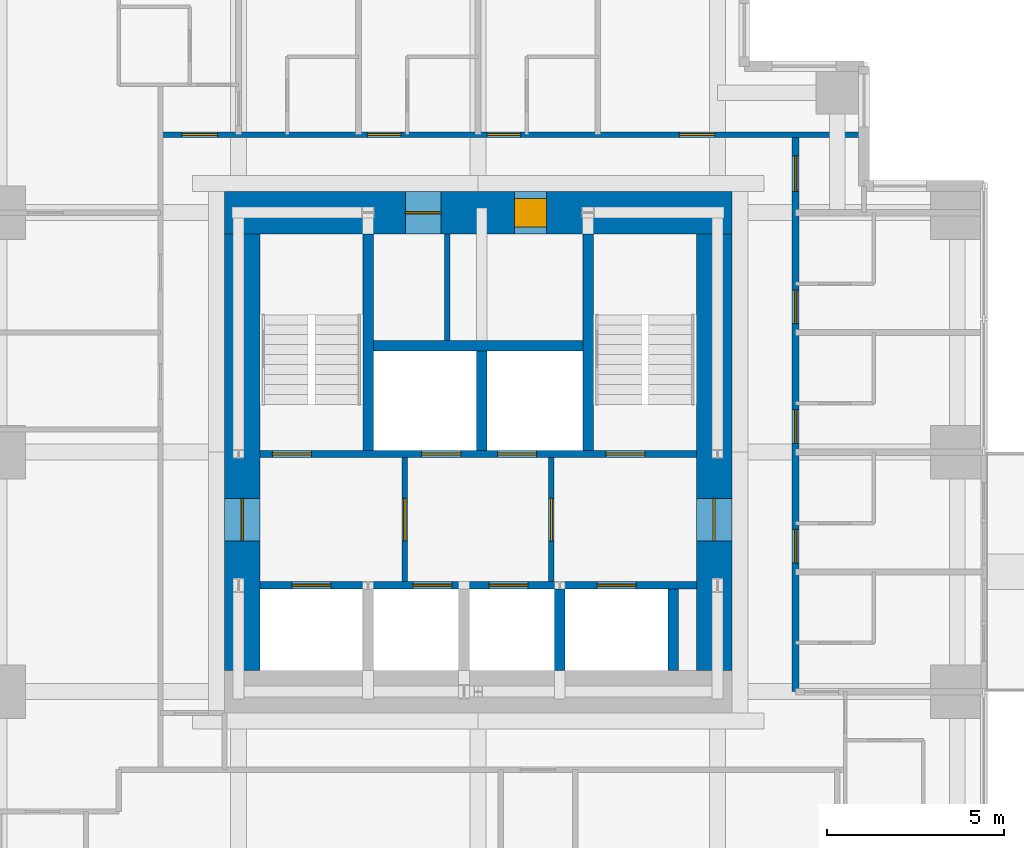
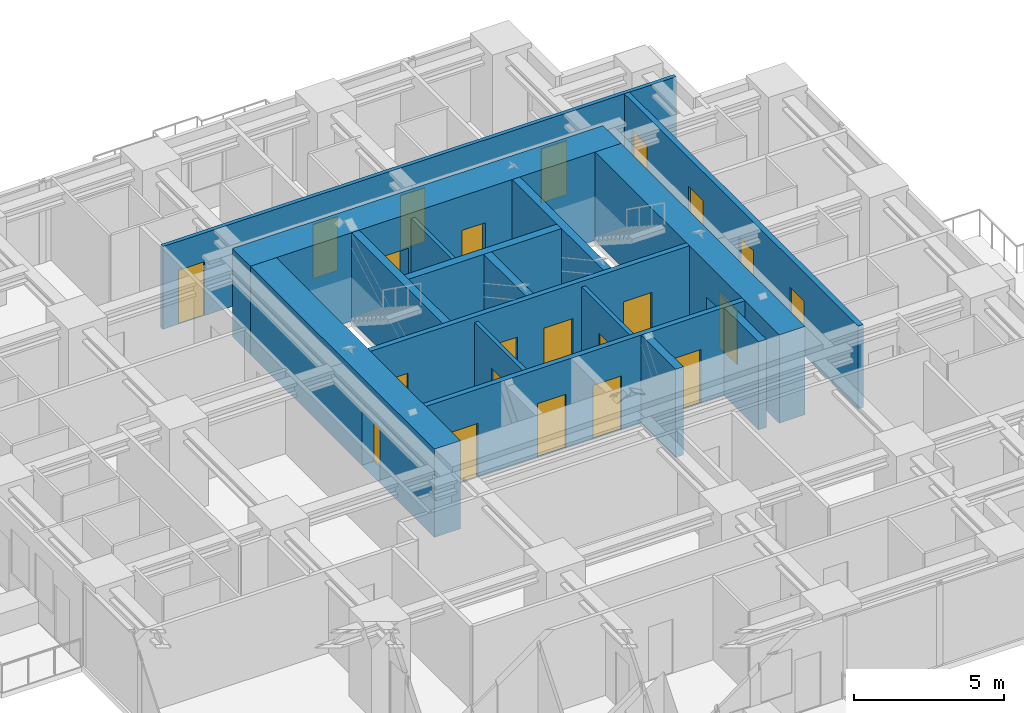
# One storey, part 7 of 10: 22 doors, 16 walls, 22 openings.
"""IFC4 building model written with IfcOpenShell, lengths in metres."""

from ifc_helpers import new_model, si_unit, direction, frame, frame_2d, origin, place, context, subcontext, project, spatial, rectangle, extrude, material, layer, layer_set, type_object, element, fill, save


model = new_model("IFC4")

# Units and contexts
model_context = context("Model", 3, precision=1e-05, world=origin(), true_north=direction((0.0, 1.0)))
body_context = subcontext(model_context, "Body", "Model", "MODEL_VIEW")
ifc_project = project(units=[si_unit("LENGTHUNIT", "METRE"), si_unit("AREAUNIT", "SQUARE_METRE"), si_unit("VOLUMEUNIT", "CUBIC_METRE"), si_unit("PLANEANGLEUNIT", "RADIAN"), si_unit("MASSUNIT", "GRAM", prefix="KILO")], contexts=[model_context])

# Site, building, storey
site_placement = place(None, origin())
site = spatial("IfcSite", under=ifc_project, at=site_placement, CompositionType="ELEMENT")
building_placement = place(site_placement, origin())
building = spatial("IfcBuilding", under=site, at=building_placement, Name="Nyansa Garden Tower", CompositionType="ELEMENT")
storey_placement = place(building_placement, frame((0.0, 0.0, 156.60009765625)))
storey = spatial("IfcBuildingStorey", under=building, at=storey_placement, Name="L42", CompositionType="ELEMENT", Elevation=156.60009765625)

# Wall, openings, doors
ifc_material_1 = material(Name="Concrete C70/85", Category="concrete")
ifc_layer_1 = layer(ifc_material_1, 0.199951171875)
ifc_layer_set_1 = layer_set([ifc_layer_1], Name="Core inner wall CI200")
wall_type_1 = type_object("IfcWallType", Name="Core inner wall CI200", PredefinedType="SHEAR", material=ifc_layer_set_1)
wall_1_placement = place(storey_placement, frame((14.10009765625, 16.5, 0.0), z_axis=(0.0, 0.0, 1.0), x_axis=(1.0, 0.0, 0.0)))
wall_1 = element("IfcWall", 1, at=wall_1_placement, inside=storey, type_object=wall_type_1, Name="Core inner wall L42", PredefinedType="SHEAR", context=body_context, shape_type="SweptSolid", body=[
    extrude(rectangle(XDim=12.2998046875, YDim=0.199951171875, at=frame_2d((6.14990234375, 0.0))), origin(), (0.0, 0.0, 1.0), 3.599853515625),
])
opening_1_placement = place(wall_1_placement, frame((0.89990234375, 0.0, 0.0)))
opening_1 = element("IfcOpeningElement", 2, at=opening_1_placement, cuts=wall_1, Name="Opening LD-F", PredefinedType="OPENING", context=body_context, shape_type="SweptSolid", body=[
    extrude(rectangle(XDim=1.10009765625, YDim=2.199951171875, at=frame_2d((0.550048828125, 1.10009765625))), frame((0.0, 0.10986328125, 0.0), z_axis=(0.0, -1.0, 0.0), x_axis=(1.0, 0.0, 0.0)), (0.0, 0.0, 1.0), 0.219970703125),
])
opening_2_placement = place(wall_1_placement, frame((4.31005859375, 0.0, 0.0)))
opening_2 = element("IfcOpeningElement", 3, at=opening_2_placement, cuts=wall_1, Name="Opening LD-B", PredefinedType="OPENING", context=body_context, shape_type="SweptSolid", body=[
    extrude(rectangle(XDim=1.10009765625, YDim=2.199951171875, at=frame_2d((0.550048828125, 1.10009765625))), frame((0.0, 0.10986328125, 0.0), z_axis=(0.0, -1.0, 0.0), x_axis=(1.0, 0.0, 0.0)), (0.0, 0.0, 1.0), 0.219970703125),
])
opening_3_placement = place(wall_1_placement, frame((6.449951171875, 0.0, 0.0)))
opening_3 = element("IfcOpeningElement", 4, at=opening_3_placement, cuts=wall_1, Name="Opening LD-B", PredefinedType="OPENING", context=body_context, shape_type="SweptSolid", body=[
    extrude(rectangle(XDim=1.10009765625, YDim=2.199951171875, at=frame_2d((0.550048828125, 1.10009765625))), frame((0.0, 0.10986328125, 0.0), z_axis=(0.0, -1.0, 0.0), x_axis=(1.0, 0.0, 0.0)), (0.0, 0.0, 1.0), 0.219970703125),
])
opening_4_placement = place(wall_1_placement, frame((9.5, 0.0, 0.0)))
opening_4 = element("IfcOpeningElement", 5, at=opening_4_placement, cuts=wall_1, Name="Opening LD-F", PredefinedType="OPENING", context=body_context, shape_type="SweptSolid", body=[
    extrude(rectangle(XDim=1.10009765625, YDim=2.199951171875, at=frame_2d((0.550048828125, 1.10009765625))), frame((0.0, 0.10986328125, 0.0), z_axis=(0.0, -1.0, 0.0), x_axis=(1.0, 0.0, 0.0)), (0.0, 0.0, 1.0), 0.219970703125),
])
ifc_material_2 = material(Name="Stainless steel centre-opening landing door of the high-rise lift, E 120", Category="steel")
door_type_1 = type_object("IfcDoorType", Name="Lift landing door LD-B 1100x2200", OperationType="DOUBLE_DOOR_SLIDING", PredefinedType="DOOR", material=ifc_material_2)
door_1_placement = place(opening_2_placement, origin())
door_1 = element("IfcDoor", 6, at=door_1_placement, inside=storey, type_object=door_type_1, Name="Landing door B1", OperationType="DOUBLE_DOOR_SLIDING", OverallHeight=2.199951171875, OverallWidth=1.10009765625, PredefinedType="DOOR", context=body_context, shape_type="SweptSolid", body=[
    extrude(rectangle(XDim=1.10009765625, YDim=2.199951171875, at=frame_2d((0.550048828125, 1.10009765625))), frame((0.0, 0.02490234375, 0.0), z_axis=(0.0, -1.0, 0.0), x_axis=(1.0, 0.0, 0.0)), (0.0, 0.0, 1.0), 0.050048828125),
])
fill(opening_2, door_1)
door_2_placement = place(opening_3_placement, origin())
door_2 = element("IfcDoor", 7, at=door_2_placement, inside=storey, type_object=door_type_1, Name="Landing door B2", OperationType="DOUBLE_DOOR_SLIDING", OverallHeight=2.199951171875, OverallWidth=1.10009765625, PredefinedType="DOOR", context=body_context, shape_type="SweptSolid", body=[
    extrude(rectangle(XDim=1.10009765625, YDim=2.199951171875, at=frame_2d((0.550048828125, 1.10009765625))), frame((0.0, 0.02490234375, 0.0), z_axis=(0.0, -1.0, 0.0), x_axis=(1.0, 0.0, 0.0)), (0.0, 0.0, 1.0), 0.050048828125),
])
fill(opening_3, door_2)
ifc_material_3 = material(Name="Stainless steel centre-opening landing door of the firefighting lift, EN 81-72, E 120", Category="steel")
door_type_2 = type_object("IfcDoorType", Name="Lift landing door LD-F 1100x2200", OperationType="DOUBLE_DOOR_SLIDING", PredefinedType="DOOR", material=ifc_material_3)
door_3_placement = place(opening_1_placement, origin())
door_3 = element("IfcDoor", 8, at=door_3_placement, inside=storey, type_object=door_type_2, Name="Landing door FF1", OperationType="DOUBLE_DOOR_SLIDING", OverallHeight=2.199951171875, OverallWidth=1.10009765625, PredefinedType="DOOR", context=body_context, shape_type="SweptSolid", body=[
    extrude(rectangle(XDim=1.10009765625, YDim=2.199951171875, at=frame_2d((0.550048828125, 1.10009765625))), frame((0.0, 0.02490234375, 0.0), z_axis=(0.0, -1.0, 0.0), x_axis=(1.0, 0.0, 0.0)), (0.0, 0.0, 1.0), 0.050048828125),
])
fill(opening_1, door_3)
door_4_placement = place(opening_4_placement, origin())
door_4 = element("IfcDoor", 9, at=door_4_placement, inside=storey, type_object=door_type_2, Name="Landing door FF2", OperationType="DOUBLE_DOOR_SLIDING", OverallHeight=2.199951171875, OverallWidth=1.10009765625, PredefinedType="DOOR", context=body_context, shape_type="SweptSolid", body=[
    extrude(rectangle(XDim=1.10009765625, YDim=2.199951171875, at=frame_2d((0.550048828125, 1.10009765625))), frame((0.0, 0.02490234375, 0.0), z_axis=(0.0, -1.0, 0.0), x_axis=(1.0, 0.0, 0.0)), (0.0, 0.0, 1.0), 0.050048828125),
])
fill(opening_4, door_4)

wall_2_placement = place(storey_placement, frame((14.10009765625, 20.199951171875, 0.0), z_axis=(0.0, 0.0, 1.0), x_axis=(1.0, 0.0, 0.0)))
wall_2 = element("IfcWall", 10, at=wall_2_placement, inside=storey, type_object=wall_type_1, Name="Core inner wall L42", PredefinedType="SHEAR", context=body_context, shape_type="SweptSolid", body=[
    extrude(rectangle(XDim=12.2998046875, YDim=0.199951171875, at=frame_2d((6.14990234375, 0.0))), origin(), (0.0, 0.0, 1.0), 3.599853515625),
])
opening_5_placement = place(wall_2_placement, frame((4.56005859375, 0.0, 0.0)))
opening_5 = element("IfcOpeningElement", 11, at=opening_5_placement, cuts=wall_2, Name="Opening LD-B", PredefinedType="OPENING", context=body_context, shape_type="SweptSolid", body=[
    extrude(rectangle(XDim=1.10009765625, YDim=2.199951171875, at=frame_2d((0.550048828125, 1.10009765625))), frame((0.0, 0.10986328125, 0.0), z_axis=(0.0, -1.0, 0.0), x_axis=(1.0, 0.0, 0.0)), (0.0, 0.0, 1.0), 0.219970703125),
])
opening_6_placement = place(wall_2_placement, frame((6.699951171875, 0.0, 0.0)))
opening_6 = element("IfcOpeningElement", 12, at=opening_6_placement, cuts=wall_2, Name="Opening LD-B", PredefinedType="OPENING", context=body_context, shape_type="SweptSolid", body=[
    extrude(rectangle(XDim=1.10009765625, YDim=2.199951171875, at=frame_2d((0.550048828125, 1.10009765625))), frame((0.0, 0.10986328125, 0.0), z_axis=(0.0, -1.0, 0.0), x_axis=(1.0, 0.0, 0.0)), (0.0, 0.0, 1.0), 0.219970703125),
])
opening_7_placement = place(wall_2_placement, frame((0.35009765625, 0.0, 0.0)))
opening_7 = element("IfcOpeningElement", 13, at=opening_7_placement, cuts=wall_2, Name="Opening D05", PredefinedType="OPENING", context=body_context, shape_type="SweptSolid", body=[
    extrude(rectangle(XDim=1.10009765625, YDim=2.199951171875, at=frame_2d((0.550048828125, 1.10009765625))), frame((0.0, 0.10986328125, 0.0), z_axis=(0.0, -1.0, 0.0), x_axis=(1.0, 0.0, 0.0)), (0.0, 0.0, 1.0), 0.219970703125),
])
opening_8_placement = place(wall_2_placement, frame((9.75, 0.0, 0.0)))
opening_8 = element("IfcOpeningElement", 14, at=opening_8_placement, cuts=wall_2, Name="Opening D05", PredefinedType="OPENING", context=body_context, shape_type="SweptSolid", body=[
    extrude(rectangle(XDim=1.10009765625, YDim=2.199951171875, at=frame_2d((0.550048828125, 1.10009765625))), frame((0.0, 0.10986328125, 0.0), z_axis=(0.0, -1.0, 0.0), x_axis=(1.0, 0.0, 0.0)), (0.0, 0.0, 1.0), 0.219970703125),
])
door_5_placement = place(opening_5_placement, origin())
door_5 = element("IfcDoor", 15, at=door_5_placement, inside=storey, type_object=door_type_1, Name="Landing door B3", OperationType="DOUBLE_DOOR_SLIDING", OverallHeight=2.199951171875, OverallWidth=1.10009765625, PredefinedType="DOOR", context=body_context, shape_type="SweptSolid", body=[
    extrude(rectangle(XDim=1.10009765625, YDim=2.199951171875, at=frame_2d((0.550048828125, 1.10009765625))), frame((0.0, 0.02490234375, 0.0), z_axis=(0.0, -1.0, 0.0), x_axis=(1.0, 0.0, 0.0)), (0.0, 0.0, 1.0), 0.050048828125),
])
fill(opening_5, door_5)
door_6_placement = place(opening_6_placement, origin())
door_6 = element("IfcDoor", 16, at=door_6_placement, inside=storey, type_object=door_type_1, Name="Landing door B4", OperationType="DOUBLE_DOOR_SLIDING", OverallHeight=2.199951171875, OverallWidth=1.10009765625, PredefinedType="DOOR", context=body_context, shape_type="SweptSolid", body=[
    extrude(rectangle(XDim=1.10009765625, YDim=2.199951171875, at=frame_2d((0.550048828125, 1.10009765625))), frame((0.0, 0.02490234375, 0.0), z_axis=(0.0, -1.0, 0.0), x_axis=(1.0, 0.0, 0.0)), (0.0, 0.0, 1.0), 0.050048828125),
])
fill(opening_6, door_6)
ifc_material_4 = material(Name="Steel door, 120 minute fire resisting", Category="steel")
door_type_3 = type_object("IfcDoorType", Name="Stair door D05 1100x2200", OperationType="SINGLE_SWING_LEFT", PredefinedType="DOOR", material=ifc_material_4)
door_7_placement = place(opening_7_placement, origin())
door_7 = element("IfcDoor", 17, at=door_7_placement, inside=storey, type_object=door_type_3, Name="Stair S1 door", OperationType="SINGLE_SWING_LEFT", OverallHeight=2.199951171875, OverallWidth=1.10009765625, PredefinedType="DOOR", context=body_context, shape_type="SweptSolid", body=[
    extrude(rectangle(XDim=1.10009765625, YDim=2.199951171875, at=frame_2d((0.550048828125, 1.10009765625))), frame((0.0, 0.02490234375, 0.0), z_axis=(0.0, -1.0, 0.0), x_axis=(1.0, 0.0, 0.0)), (0.0, 0.0, 1.0), 0.050048828125),
])
fill(opening_7, door_7)
door_8_placement = place(opening_8_placement, origin())
door_8 = element("IfcDoor", 18, at=door_8_placement, inside=storey, type_object=door_type_3, Name="Stair S2 door", OperationType="SINGLE_SWING_LEFT", OverallHeight=2.199951171875, OverallWidth=1.10009765625, PredefinedType="DOOR", context=body_context, shape_type="SweptSolid", body=[
    extrude(rectangle(XDim=1.10009765625, YDim=2.199951171875, at=frame_2d((0.550048828125, 1.10009765625))), frame((0.0, 0.02490234375, 0.0), z_axis=(0.0, -1.0, 0.0), x_axis=(1.0, 0.0, 0.0)), (0.0, 0.0, 1.0), 0.050048828125),
])
fill(opening_8, door_8)

# Walls
ifc_material_5 = material(Name="Concrete C70/85", Category="concrete")
ifc_layer_2 = layer(ifc_material_5, 0.300048828125)
ifc_layer_set_2 = layer_set([ifc_layer_2], Name="Core inner wall CI300")
wall_type_2 = type_object("IfcWallType", Name="Core inner wall CI300", PredefinedType="SHEAR", material=ifc_layer_set_2)
for number, where, z_axis, x_axis, name in (
    (19, (17.14990234375, 20.300048828125, 0.0), (0.0, 0.0, 1.0), (0.0, 1.0, 0.0), "Core inner wall L42"),
    (20, (23.35009765625, 20.300048828125, 0.0), (0.0, 0.0, 1.0), (0.0, 1.0, 0.0), "Core inner wall L42"),
):
    element("IfcWall", number, at=place(storey_placement, frame(where, z_axis=z_axis, x_axis=x_axis)), inside=storey, type_object=wall_type_2, Name=name, PredefinedType="SHEAR", context=body_context, shape_type="SweptSolid", body=[
        extrude(rectangle(XDim=6.099853515625, YDim=0.300048828125, at=frame_2d((3.0498046875, 0.0))), origin(), (0.0, 0.0, 1.0), 3.599853515625),
    ])
wall_3_placement = place(storey_placement, frame((20.35009765625, 20.300048828125, 0.0), z_axis=(0.0, 0.0, 1.0), x_axis=(0.0, 1.0, 0.0)))
element("IfcWall", 21, at=wall_3_placement, inside=storey, type_object=wall_type_2, Name="Core inner wall L42", PredefinedType="SHEAR", context=body_context, shape_type="SweptSolid", body=[
    extrude(rectangle(XDim=2.800048828125, YDim=0.300048828125, at=frame_2d((1.39990234375, 0.0))), origin(), (0.0, 0.0, 1.0), 3.599853515625),
])
wall_4_placement = place(storey_placement, frame((17.300048828125, 23.25, 0.0), z_axis=(0.0, 0.0, 1.0), x_axis=(1.0, 0.0, 0.0)))
element("IfcWall", 22, at=wall_4_placement, inside=storey, type_object=wall_type_2, Name="Core inner wall L42", PredefinedType="SHEAR", context=body_context, shape_type="SweptSolid", body=[
    extrude(rectangle(XDim=5.89990234375, YDim=0.300048828125, at=frame_2d((2.949951171875, 0.0))), origin(), (0.0, 0.0, 1.0), 3.599853515625),
])
for number, where, z_axis, x_axis, name in (
    (23, (22.550048828125, 14.10009765625, 0.0), (0.0, 0.0, 1.0), (0.0, 1.0, 0.0), "Core inner wall L42"),
    (24, (25.75, 14.10009765625, 0.0), (0.0, 0.0, 1.0), (0.0, 1.0, 0.0), "Core inner wall L42"),
):
    element("IfcWall", number, at=place(storey_placement, frame(where, z_axis=z_axis, x_axis=x_axis)), inside=storey, type_object=wall_type_2, Name=name, PredefinedType="SHEAR", context=body_context, shape_type="SweptSolid", body=[
        extrude(rectangle(XDim=2.2998046875, YDim=0.300048828125, at=frame_2d((1.14990234375, 0.0))), origin(), (0.0, 0.0, 1.0), 3.599853515625),
    ])

# Wall, opening, door
ifc_material_6 = material(Name="Concrete C80/95", Category="concrete")
ifc_layer_3 = layer(ifc_material_6, 1.0)
ifc_layer_set_3 = layer_set([ifc_layer_3], Name="Core wall CW1000")
wall_type_3 = type_object("IfcWallType", Name="Core wall CW1000", PredefinedType="SHEAR", material=ifc_layer_set_3)
wall_5_placement = place(storey_placement, frame((26.89990234375, 14.10009765625, 0.0), z_axis=(0.0, 0.0, 1.0), x_axis=(0.0, 1.0, 0.0)))
wall_5 = element("IfcWall", 25, at=wall_5_placement, inside=storey, type_object=wall_type_3, Name="Core wall E L42", PredefinedType="SHEAR", context=body_context, shape_type="SweptSolid", body=[
    extrude(rectangle(XDim=12.2998046875, YDim=1.0, at=frame_2d((6.14990234375, 0.0))), origin(), (0.0, 0.0, 1.0), 3.599853515625),
])
opening_9_placement = place(wall_5_placement, frame((3.64990234375, 0.0, 0.0)))
opening_9 = element("IfcOpeningElement", 26, at=opening_9_placement, cuts=wall_5, Name="Opening D06", PredefinedType="OPENING", context=body_context, shape_type="SweptSolid", body=[
    extrude(rectangle(XDim=1.199951171875, YDim=2.199951171875, at=frame_2d((0.60009765625, 1.10009765625))), frame((0.0, 0.510009765625, 0.0), z_axis=(0.0, -1.0, 0.0), x_axis=(1.0, 0.0, 0.0)), (0.0, 0.0, 1.0), 1.02001953125),
])
ifc_material_7 = material(Name="Steel door, 120 minute fire resisting", Category="steel")
door_type_4 = type_object("IfcDoorType", Name="Lobby door D06 1200x2200", OperationType="DOUBLE_DOOR_SINGLE_SWING", PredefinedType="DOOR", material=ifc_material_7)
door_9_placement = place(opening_9_placement, origin())
door_9 = element("IfcDoor", 27, at=door_9_placement, inside=storey, type_object=door_type_4, Name="Lift lobby door east", OperationType="DOUBLE_DOOR_SINGLE_SWING", OverallHeight=2.199951171875, OverallWidth=1.199951171875, PredefinedType="DOOR", context=body_context, shape_type="SweptSolid", body=[
    extrude(rectangle(XDim=1.199951171875, YDim=2.199951171875, at=frame_2d((0.60009765625, 1.10009765625))), frame((0.0, 0.02490234375, 0.0), z_axis=(0.0, -1.0, 0.0), x_axis=(1.0, 0.0, 0.0)), (0.0, 0.0, 1.0), 0.050048828125),
])
fill(opening_9, door_9)

wall_6_placement = place(storey_placement, frame((13.60009765625, 26.39990234375, 0.0), z_axis=(0.0, 0.0, 1.0), x_axis=(0.0, -1.0, 0.0)))
wall_6 = element("IfcWall", 28, at=wall_6_placement, inside=storey, type_object=wall_type_3, Name="Core wall W L42", PredefinedType="SHEAR", context=body_context, shape_type="SweptSolid", body=[
    extrude(rectangle(XDim=12.2998046875, YDim=1.0, at=frame_2d((6.14990234375, 0.0))), origin(), (0.0, 0.0, 1.0), 3.599853515625),
])
opening_10_placement = place(wall_6_placement, frame((7.449951171875, 0.0, 0.0)))
opening_10 = element("IfcOpeningElement", 29, at=opening_10_placement, cuts=wall_6, Name="Opening D06", PredefinedType="OPENING", context=body_context, shape_type="SweptSolid", body=[
    extrude(rectangle(XDim=1.199951171875, YDim=2.199951171875, at=frame_2d((0.60009765625, 1.10009765625))), frame((0.0, 0.510009765625, 0.0), z_axis=(0.0, -1.0, 0.0), x_axis=(1.0, 0.0, 0.0)), (0.0, 0.0, 1.0), 1.02001953125),
])
door_10_placement = place(opening_10_placement, origin())
door_10 = element("IfcDoor", 30, at=door_10_placement, inside=storey, type_object=door_type_4, Name="Lift lobby door west", OperationType="DOUBLE_DOOR_SINGLE_SWING", OverallHeight=2.199951171875, OverallWidth=1.199951171875, PredefinedType="DOOR", context=body_context, shape_type="SweptSolid", body=[
    extrude(rectangle(XDim=1.199951171875, YDim=2.199951171875, at=frame_2d((0.60009765625, 1.10009765625))), frame((0.0, 0.02490234375, 0.0), z_axis=(0.0, -1.0, 0.0), x_axis=(1.0, 0.0, 0.0)), (0.0, 0.0, 1.0), 0.050048828125),
])
fill(opening_10, door_10)

# Wall, openings, doors
ifc_material_8 = material(Name="Concrete C80/95", Category="concrete")
ifc_layer_4 = layer(ifc_material_8, 1.199951171875)
ifc_layer_set_4 = layer_set([ifc_layer_4], Name="Core wall CW1200")
wall_type_4 = type_object("IfcWallType", Name="Core wall CW1200", PredefinedType="SHEAR", material=ifc_layer_set_4)
wall_7_placement = place(storey_placement, frame((27.39990234375, 27.0, 0.0), z_axis=(0.0, 0.0, 1.0), x_axis=(-1.0, 0.0, 0.0)))
wall_7 = element("IfcWall", 31, at=wall_7_placement, inside=storey, type_object=wall_type_4, Name="Core wall N L42", PredefinedType="SHEAR", context=body_context, shape_type="SweptSolid", body=[
    extrude(rectangle(XDim=14.2998046875, YDim=1.199951171875, at=frame_2d((7.14990234375, 0.0))), origin(), (0.0, 0.0, 1.0), 3.599853515625),
])
opening_11_placement = place(wall_7_placement, frame((5.22509765625, 0.0, 0.0)))
opening_11 = element("IfcOpeningElement", 32, at=opening_11_placement, cuts=wall_7, Name="Opening D15", PredefinedType="OPENING", context=body_context, shape_type="SweptSolid", body=[
    extrude(rectangle(XDim=0.89990234375, YDim=2.199951171875, at=frame_2d((0.449951171875, 1.10009765625))), frame((0.0, 0.60986328125, 0.0), z_axis=(0.0, -1.0, 0.0), x_axis=(1.0, 0.0, 0.0)), (0.0, 0.0, 1.0), 1.219970703125),
])
opening_12_placement = place(wall_7_placement, frame((8.199951171875, 0.0, 0.0)))
opening_12 = element("IfcOpeningElement", 33, at=opening_12_placement, cuts=wall_7, Name="Opening D07", PredefinedType="OPENING", context=body_context, shape_type="SweptSolid", body=[
    extrude(rectangle(XDim=1.0, YDim=2.199951171875, at=frame_2d((0.5, 1.10009765625))), frame((0.0, 0.60986328125, 0.0), z_axis=(0.0, -1.0, 0.0), x_axis=(1.0, 0.0, 0.0)), (0.0, 0.0, 1.0), 1.219970703125),
])
ifc_material_9 = material(Name="Timber flush door, 60 minute fire resisting, self-closing", Category="wood")
door_type_5 = type_object("IfcDoorType", Name="Core room door D15 900x2200", OperationType="SINGLE_SWING_LEFT", PredefinedType="DOOR", material=ifc_material_9)
door_11_placement = place(opening_11_placement, origin())
door_11 = element("IfcDoor", 34, at=door_11_placement, inside=storey, type_object=door_type_5, Name="Core room door", OperationType="SINGLE_SWING_LEFT", OverallHeight=2.199951171875, OverallWidth=0.89990234375, PredefinedType="DOOR", context=body_context, shape_type="SweptSolid", body=[
    extrude(rectangle(XDim=0.89990234375, YDim=2.199951171875, at=frame_2d((0.449951171875, 1.10009765625))), frame((0.0, 0.39990234375, 0.0), z_axis=(0.0, -1.0, 0.0), x_axis=(1.0, 0.0, 0.0)), (0.0, 0.0, 1.0), 0.800048828125),
])
fill(opening_11, door_11)
ifc_material_10 = material(Name="Steel door, 120 minute fire resisting", Category="steel")
door_type_6 = type_object("IfcDoorType", Name="Riser door D07 1000x2200", OperationType="SINGLE_SWING_LEFT", PredefinedType="DOOR", material=ifc_material_10)
door_12_placement = place(opening_12_placement, origin())
door_12 = element("IfcDoor", 35, at=door_12_placement, inside=storey, type_object=door_type_6, Name="Riser and refuse room door", OperationType="SINGLE_SWING_LEFT", OverallHeight=2.199951171875, OverallWidth=1.0, PredefinedType="DOOR", context=body_context, shape_type="SweptSolid", body=[
    extrude(rectangle(XDim=1.0, YDim=2.199951171875, at=frame_2d((0.5, 1.10009765625))), frame((0.0, 0.02490234375, 0.0), z_axis=(0.0, -1.0, 0.0), x_axis=(1.0, 0.0, 0.0)), (0.0, 0.0, 1.0), 0.050048828125),
])
fill(opening_12, door_12)

ifc_material_11 = material(Name="Concrete blockwork, plastered, 60 minute fire resisting", Category="masonry")
ifc_layer_5 = layer(ifc_material_11, 0.199951171875)
ifc_layer_set_5 = layer_set([ifc_layer_5], Name="Corridor wall FW200")
wall_type_5 = type_object("IfcWallType", Name="Corridor wall FW200", PredefinedType="PARTITIONING", material=ifc_layer_set_5)
wall_8_placement = place(storey_placement, frame((29.199951171875, 13.5, 0.0), z_axis=(0.0, 0.0, 1.0), x_axis=(0.0, 1.0, 0.0)))
wall_8 = element("IfcWall", 36, at=wall_8_placement, inside=storey, type_object=wall_type_5, Name="Corridor wall", PredefinedType="PARTITIONING", context=body_context, shape_type="SweptSolid", body=[
    extrude(rectangle(XDim=15.699951171875, YDim=0.199951171875, at=frame_2d((7.85009765625, 0.0))), origin(), (0.0, 0.0, 1.0), 3.375),
])
opening_13_placement = place(wall_8_placement, frame((3.625, 0.0, 0.0)))
opening_13 = element("IfcOpeningElement", 37, at=opening_13_placement, cuts=wall_8, Name="Opening D14", PredefinedType="OPENING", context=body_context, shape_type="SweptSolid", body=[
    extrude(rectangle(XDim=0.949951171875, YDim=2.199951171875, at=frame_2d((0.47509765625, 1.10009765625))), frame((0.0, 0.10986328125, 0.0), z_axis=(0.0, -1.0, 0.0), x_axis=(1.0, 0.0, 0.0)), (0.0, 0.0, 1.0), 0.219970703125),
])
opening_14_placement = place(wall_8_placement, frame((7.0, 0.0, 0.0)))
opening_14 = element("IfcOpeningElement", 38, at=opening_14_placement, cuts=wall_8, Name="Opening D14", PredefinedType="OPENING", context=body_context, shape_type="SweptSolid", body=[
    extrude(rectangle(XDim=0.949951171875, YDim=2.199951171875, at=frame_2d((0.47509765625, 1.10009765625))), frame((0.0, 0.10986328125, 0.0), z_axis=(0.0, -1.0, 0.0), x_axis=(1.0, 0.0, 0.0)), (0.0, 0.0, 1.0), 0.219970703125),
])
opening_15_placement = place(wall_8_placement, frame((10.375, 0.0, 0.0)))
opening_15 = element("IfcOpeningElement", 39, at=opening_15_placement, cuts=wall_8, Name="Opening D14", PredefinedType="OPENING", context=body_context, shape_type="SweptSolid", body=[
    extrude(rectangle(XDim=0.949951171875, YDim=2.199951171875, at=frame_2d((0.47509765625, 1.10009765625))), frame((0.0, 0.10986328125, 0.0), z_axis=(0.0, -1.0, 0.0), x_axis=(1.0, 0.0, 0.0)), (0.0, 0.0, 1.0), 0.219970703125),
])
opening_16_placement = place(wall_8_placement, frame((14.10009765625, 0.0, 0.0)))
opening_16 = element("IfcOpeningElement", 40, at=opening_16_placement, cuts=wall_8, Name="Opening D03", PredefinedType="OPENING", context=body_context, shape_type="SweptSolid", body=[
    extrude(rectangle(XDim=1.0, YDim=2.199951171875, at=frame_2d((0.5, 1.10009765625))), frame((0.0, 0.10986328125, 0.0), z_axis=(0.0, -1.0, 0.0), x_axis=(1.0, 0.0, 0.0)), (0.0, 0.0, 1.0), 0.219970703125),
])
ifc_material_12 = material(Name="Timber flush door, 60 minute fire resisting", Category="wood")
door_type_7 = type_object("IfcDoorType", Name="Cluster entrance door D03 1000x2200", OperationType="SINGLE_SWING_LEFT", PredefinedType="DOOR", material=ifc_material_12)
door_13_placement = place(opening_16_placement, origin())
door_13 = element("IfcDoor", 41, at=door_13_placement, inside=storey, type_object=door_type_7, Name="Door L42-038", OperationType="SINGLE_SWING_LEFT", OverallHeight=2.199951171875, OverallWidth=1.0, PredefinedType="DOOR", context=body_context, shape_type="SweptSolid", body=[
    extrude(rectangle(XDim=1.0, YDim=2.199951171875, at=frame_2d((0.5, 1.10009765625))), frame((0.0, 0.02490234375, 0.0), z_axis=(0.0, -1.0, 0.0), x_axis=(1.0, 0.0, 0.0)), (0.0, 0.0, 1.0), 0.050048828125),
])
fill(opening_16, door_13)
ifc_material_13 = material(Name="Timber flush door, 60 minute fire resisting, self-closing", Category="wood")
door_type_8 = type_object("IfcDoorType", Name="Studio entrance door D14 950x2200", OperationType="SINGLE_SWING_LEFT", PredefinedType="DOOR", material=ifc_material_13)
door_14_placement = place(opening_13_placement, origin())
door_14 = element("IfcDoor", 42, at=door_14_placement, inside=storey, type_object=door_type_8, Name="Door L42-032", OperationType="SINGLE_SWING_LEFT", OverallHeight=2.199951171875, OverallWidth=0.949951171875, PredefinedType="DOOR", context=body_context, shape_type="SweptSolid", body=[
    extrude(rectangle(XDim=0.949951171875, YDim=2.199951171875, at=frame_2d((0.47509765625, 1.10009765625))), frame((0.0, 0.02490234375, 0.0), z_axis=(0.0, -1.0, 0.0), x_axis=(1.0, 0.0, 0.0)), (0.0, 0.0, 1.0), 0.050048828125),
])
fill(opening_13, door_14)
door_15_placement = place(opening_14_placement, origin())
door_15 = element("IfcDoor", 43, at=door_15_placement, inside=storey, type_object=door_type_8, Name="Door L42-034", OperationType="SINGLE_SWING_LEFT", OverallHeight=2.199951171875, OverallWidth=0.949951171875, PredefinedType="DOOR", context=body_context, shape_type="SweptSolid", body=[
    extrude(rectangle(XDim=0.949951171875, YDim=2.199951171875, at=frame_2d((0.47509765625, 1.10009765625))), frame((0.0, 0.02490234375, 0.0), z_axis=(0.0, -1.0, 0.0), x_axis=(1.0, 0.0, 0.0)), (0.0, 0.0, 1.0), 0.050048828125),
])
fill(opening_14, door_15)
door_16_placement = place(opening_15_placement, origin())
door_16 = element("IfcDoor", 44, at=door_16_placement, inside=storey, type_object=door_type_8, Name="Door L42-036", OperationType="SINGLE_SWING_LEFT", OverallHeight=2.199951171875, OverallWidth=0.949951171875, PredefinedType="DOOR", context=body_context, shape_type="SweptSolid", body=[
    extrude(rectangle(XDim=0.949951171875, YDim=2.199951171875, at=frame_2d((0.47509765625, 1.10009765625))), frame((0.0, 0.02490234375, 0.0), z_axis=(0.0, -1.0, 0.0), x_axis=(1.0, 0.0, 0.0)), (0.0, 0.0, 1.0), 0.050048828125),
])
fill(opening_15, door_16)

# Wall, opening, door
ifc_material_14 = material(Name="Blockwork, plastered both sides", Category="masonry")
ifc_layer_6 = layer(ifc_material_14, 0.14990234375)
ifc_layer_set_6 = layer_set([ifc_layer_6], Name="Partition PW150")
wall_type_6 = type_object("IfcWallType", Name="Partition PW150", PredefinedType="PARTITIONING", material=ifc_layer_set_6)
wall_9_placement = place(storey_placement, frame((18.18505859375, 16.60009765625, 0.0), z_axis=(0.0, 0.0, 1.0), x_axis=(0.0, 1.0, 0.0)))
wall_9 = element("IfcWall", 45, at=wall_9_placement, inside=storey, type_object=wall_type_6, Name="Partition", PredefinedType="PARTITIONING", context=body_context, shape_type="SweptSolid", body=[
    extrude(rectangle(XDim=3.5, YDim=0.14990234375, at=frame_2d((1.75, 0.0))), origin(), (0.0, 0.0, 1.0), 3.375),
])
opening_17_placement = place(wall_9_placement, frame((1.14990234375, 0.0, 0.0)))
opening_17 = element("IfcOpeningElement", 46, at=opening_17_placement, cuts=wall_9, Name="Opening D06", PredefinedType="OPENING", context=body_context, shape_type="SweptSolid", body=[
    extrude(rectangle(XDim=1.199951171875, YDim=2.199951171875, at=frame_2d((0.60009765625, 1.10009765625))), frame((0.0, 0.0849609375, 0.0), z_axis=(0.0, -1.0, 0.0), x_axis=(1.0, 0.0, 0.0)), (0.0, 0.0, 1.0), 0.169921875),
])
door_17_placement = place(opening_17_placement, origin())
door_17 = element("IfcDoor", 47, at=door_17_placement, inside=storey, type_object=door_type_4, Name="Passenger lift lobby door", OperationType="DOUBLE_DOOR_SINGLE_SWING", OverallHeight=2.199951171875, OverallWidth=1.199951171875, PredefinedType="DOOR", context=body_context, shape_type="SweptSolid", body=[
    extrude(rectangle(XDim=1.199951171875, YDim=2.199951171875, at=frame_2d((0.60009765625, 1.10009765625))), frame((0.0, 0.02490234375, 0.0), z_axis=(0.0, -1.0, 0.0), x_axis=(1.0, 0.0, 0.0)), (0.0, 0.0, 1.0), 0.050048828125),
])
fill(opening_17, door_17)

wall_10_placement = place(storey_placement, frame((22.31494140625, 16.60009765625, 0.0), z_axis=(0.0, 0.0, 1.0), x_axis=(0.0, 1.0, 0.0)))
wall_10 = element("IfcWall", 48, at=wall_10_placement, inside=storey, type_object=wall_type_6, Name="Partition", PredefinedType="PARTITIONING", context=body_context, shape_type="SweptSolid", body=[
    extrude(rectangle(XDim=3.5, YDim=0.14990234375, at=frame_2d((1.75, 0.0))), origin(), (0.0, 0.0, 1.0), 3.375),
])
opening_18_placement = place(wall_10_placement, frame((1.14990234375, 0.0, 0.0)))
opening_18 = element("IfcOpeningElement", 49, at=opening_18_placement, cuts=wall_10, Name="Opening D06", PredefinedType="OPENING", context=body_context, shape_type="SweptSolid", body=[
    extrude(rectangle(XDim=1.199951171875, YDim=2.199951171875, at=frame_2d((0.60009765625, 1.10009765625))), frame((0.0, 0.0849609375, 0.0), z_axis=(0.0, -1.0, 0.0), x_axis=(1.0, 0.0, 0.0)), (0.0, 0.0, 1.0), 0.169921875),
])
door_18_placement = place(opening_18_placement, origin())
door_18 = element("IfcDoor", 50, at=door_18_placement, inside=storey, type_object=door_type_4, Name="Passenger lift lobby door", OperationType="DOUBLE_DOOR_SINGLE_SWING", OverallHeight=2.199951171875, OverallWidth=1.199951171875, PredefinedType="DOOR", context=body_context, shape_type="SweptSolid", body=[
    extrude(rectangle(XDim=1.199951171875, YDim=2.199951171875, at=frame_2d((0.60009765625, 1.10009765625))), frame((0.0, 0.02490234375, 0.0), z_axis=(0.0, -1.0, 0.0), x_axis=(1.0, 0.0, 0.0)), (0.0, 0.0, 1.0), 0.050048828125),
])
fill(opening_18, door_18)

# Wall
wall_11_placement = place(storey_placement, frame((19.375, 23.39990234375, 0.0), z_axis=(0.0, 0.0, 1.0), x_axis=(0.0, 1.0, 0.0)))
element("IfcWall", 51, at=wall_11_placement, inside=storey, type_object=wall_type_6, Name="Partition", PredefinedType="PARTITIONING", context=body_context, shape_type="SweptSolid", body=[
    extrude(rectangle(XDim=3.0, YDim=0.14990234375, at=frame_2d((1.5, 0.0))), origin(), (0.0, 0.0, 1.0), 3.375),
])

# Wall, openings, doors
wall_12_placement = place(storey_placement, frame((11.300048828125, 29.199951171875, 0.0), z_axis=(0.0, 0.0, 1.0), x_axis=(1.0, 0.0, 0.0)))
wall_12 = element("IfcWall", 52, at=wall_12_placement, inside=storey, type_object=wall_type_6, Name="Partition", PredefinedType="PARTITIONING", context=body_context, shape_type="SweptSolid", body=[
    extrude(rectangle(XDim=19.808837890625, YDim=0.14990234375, at=frame_2d((9.904296875, 0.0))), origin(), (0.0, 0.0, 1.0), 3.375),
])
opening_19_placement = place(wall_12_placement, frame((14.625, 0.0, 0.0)))
opening_19 = element("IfcOpeningElement", 53, at=opening_19_placement, cuts=wall_12, Name="Opening D03", PredefinedType="OPENING", context=body_context, shape_type="SweptSolid", body=[
    extrude(rectangle(XDim=1.0, YDim=2.199951171875, at=frame_2d((0.5, 1.10009765625))), frame((0.0, 0.0849609375, 0.0), z_axis=(0.0, -1.0, 0.0), x_axis=(1.0, 0.0, 0.0)), (0.0, 0.0, 1.0), 0.169921875),
])
opening_20_placement = place(wall_12_placement, frame((5.824951171875, 0.0, 0.0)))
opening_20 = element("IfcOpeningElement", 54, at=opening_20_placement, cuts=wall_12, Name="Opening D14", PredefinedType="OPENING", context=body_context, shape_type="SweptSolid", body=[
    extrude(rectangle(XDim=0.949951171875, YDim=2.199951171875, at=frame_2d((0.47509765625, 1.10009765625))), frame((0.0, 0.0849609375, 0.0), z_axis=(0.0, -1.0, 0.0), x_axis=(1.0, 0.0, 0.0)), (0.0, 0.0, 1.0), 0.169921875),
])
opening_21_placement = place(wall_12_placement, frame((9.199951171875, 0.0, 0.0)))
opening_21 = element("IfcOpeningElement", 55, at=opening_21_placement, cuts=wall_12, Name="Opening D14", PredefinedType="OPENING", context=body_context, shape_type="SweptSolid", body=[
    extrude(rectangle(XDim=0.949951171875, YDim=2.199951171875, at=frame_2d((0.47509765625, 1.10009765625))), frame((0.0, 0.0849609375, 0.0), z_axis=(0.0, -1.0, 0.0), x_axis=(1.0, 0.0, 0.0)), (0.0, 0.0, 1.0), 0.169921875),
])
opening_22_placement = place(wall_12_placement, frame((0.60009765625, 0.0, 0.0)))
opening_22 = element("IfcOpeningElement", 56, at=opening_22_placement, cuts=wall_12, Name="Opening D03", PredefinedType="OPENING", context=body_context, shape_type="SweptSolid", body=[
    extrude(rectangle(XDim=1.0, YDim=2.199951171875, at=frame_2d((0.5, 1.10009765625))), frame((0.0, 0.0849609375, 0.0), z_axis=(0.0, -1.0, 0.0), x_axis=(1.0, 0.0, 0.0)), (0.0, 0.0, 1.0), 0.169921875),
])
door_19_placement = place(opening_19_placement, origin())
door_19 = element("IfcDoor", 57, at=door_19_placement, inside=storey, type_object=door_type_7, Name="Door L42-039", OperationType="SINGLE_SWING_LEFT", OverallHeight=2.199951171875, OverallWidth=1.0, PredefinedType="DOOR", context=body_context, shape_type="SweptSolid", body=[
    extrude(rectangle(XDim=1.0, YDim=2.199951171875, at=frame_2d((0.5, 1.10009765625))), frame((0.0, 0.02490234375, 0.0), z_axis=(0.0, -1.0, 0.0), x_axis=(1.0, 0.0, 0.0)), (0.0, 0.0, 1.0), 0.050048828125),
])
fill(opening_19, door_19)
door_20_placement = place(opening_22_placement, origin())
door_20 = element("IfcDoor", 58, at=door_20_placement, inside=storey, type_object=door_type_7, Name="Door L42-048", OperationType="SINGLE_SWING_LEFT", OverallHeight=2.199951171875, OverallWidth=1.0, PredefinedType="DOOR", context=body_context, shape_type="SweptSolid", body=[
    extrude(rectangle(XDim=1.0, YDim=2.199951171875, at=frame_2d((0.5, 1.10009765625))), frame((0.0, 0.02490234375, 0.0), z_axis=(0.0, -1.0, 0.0), x_axis=(1.0, 0.0, 0.0)), (0.0, 0.0, 1.0), 0.050048828125),
])
fill(opening_22, door_20)
door_21_placement = place(opening_20_placement, origin())
door_21 = element("IfcDoor", 59, at=door_21_placement, inside=storey, type_object=door_type_8, Name="Door L42-044", OperationType="SINGLE_SWING_LEFT", OverallHeight=2.199951171875, OverallWidth=0.949951171875, PredefinedType="DOOR", context=body_context, shape_type="SweptSolid", body=[
    extrude(rectangle(XDim=0.949951171875, YDim=2.199951171875, at=frame_2d((0.47509765625, 1.10009765625))), frame((0.0, 0.02490234375, 0.0), z_axis=(0.0, -1.0, 0.0), x_axis=(1.0, 0.0, 0.0)), (0.0, 0.0, 1.0), 0.050048828125),
])
fill(opening_20, door_21)
door_22_placement = place(opening_21_placement, origin())
door_22 = element("IfcDoor", 60, at=door_22_placement, inside=storey, type_object=door_type_8, Name="Door L42-046", OperationType="SINGLE_SWING_LEFT", OverallHeight=2.199951171875, OverallWidth=0.949951171875, PredefinedType="DOOR", context=body_context, shape_type="SweptSolid", body=[
    extrude(rectangle(XDim=0.949951171875, YDim=2.199951171875, at=frame_2d((0.47509765625, 1.10009765625))), frame((0.0, 0.02490234375, 0.0), z_axis=(0.0, -1.0, 0.0), x_axis=(1.0, 0.0, 0.0)), (0.0, 0.0, 1.0), 0.050048828125),
])
fill(opening_21, door_22)

save(model, "model.ifc")
